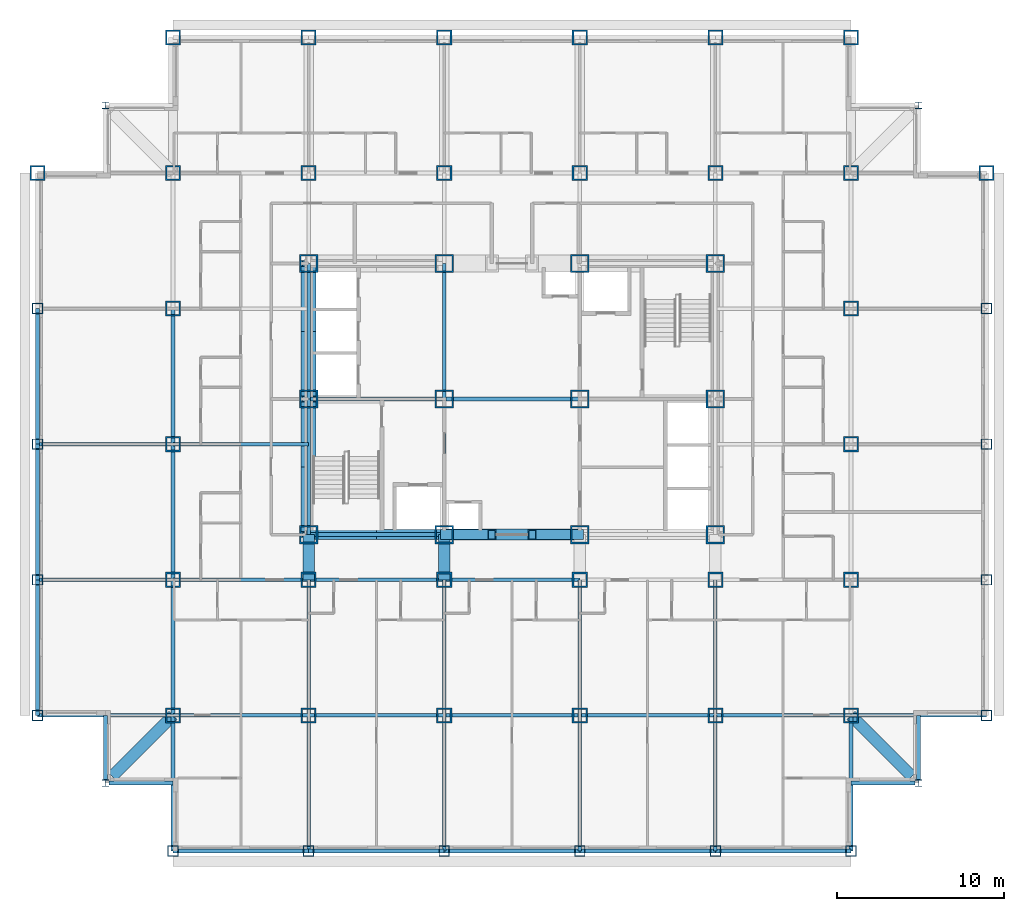
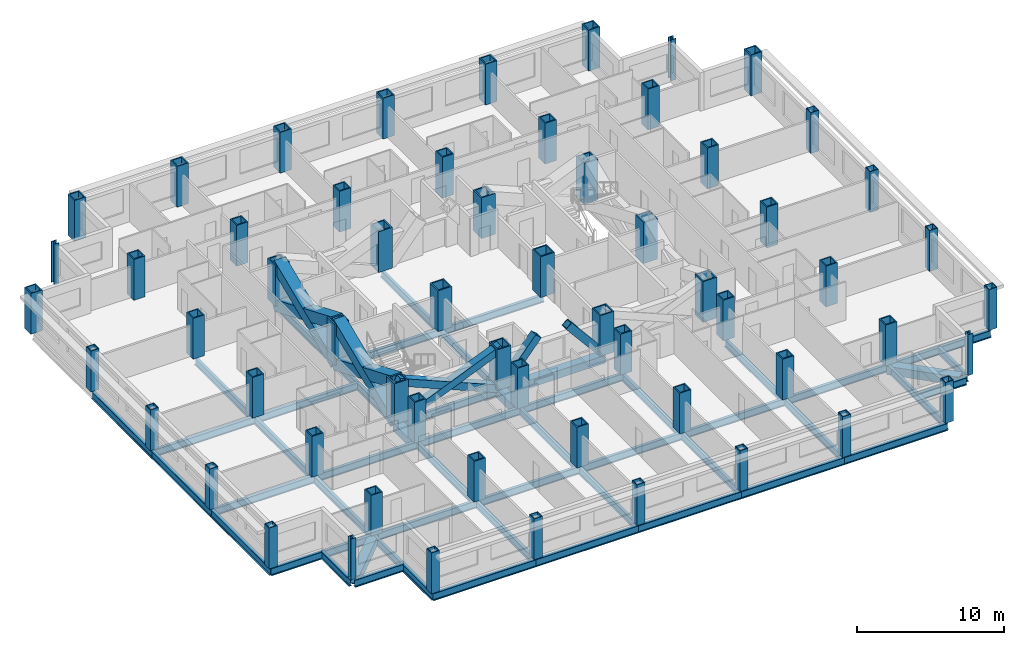
# One storey, part 1 of 12: 60 columns, 50 beams, 8 members.
"""IFC4 building model written with IfcOpenShell, lengths in metres."""

from ifc_helpers import new_model, si_unit, direction, frame, origin, origin_2d, place, context, subcontext, project, spatial, hollow_rectangle, i_section, extrude, material, material_profile, profile_set, type_object, element, save


model = new_model("IFC4")

# Units and contexts
model_context = context("Model", 3, precision=1e-05, world=origin(), true_north=direction((0.0, 1.0)))
body_context = subcontext(model_context, "Body", "Model", "MODEL_VIEW")
ifc_project = project(units=[si_unit("LENGTHUNIT", "METRE"), si_unit("AREAUNIT", "SQUARE_METRE"), si_unit("VOLUMEUNIT", "CUBIC_METRE"), si_unit("PLANEANGLEUNIT", "RADIAN"), si_unit("MASSUNIT", "GRAM", prefix="KILO")], contexts=[model_context])

# Site, building, storey
site_placement = place(None, origin())
site = spatial("IfcSite", under=ifc_project, at=site_placement, CompositionType="ELEMENT")
building_placement = place(site_placement, origin())
building = spatial("IfcBuilding", under=site, at=building_placement, Name="Kopane Lantern Tower", CompositionType="ELEMENT")
storey_placement = place(building_placement, frame((0.0, 0.0, 106.800048828125)))
storey = spatial("IfcBuildingStorey", under=building, at=storey_placement, Name="L26", CompositionType="ELEMENT", Elevation=106.800048828125)

# Columns
ifc_material_1 = material(Name="Steel S355JR", Category="steel")
ifc_material_profile_1 = material_profile(ifc_material_1, hollow_rectangle(XDim=1.10009765625, YDim=1.10009765625, WallThickness=0.10009765625, at=origin_2d()), Name="BOX 1100x1100x100")
ifc_profile_set_1 = profile_set([ifc_material_profile_1], Name="Steel S355JR")
column_type_1 = type_object("IfcColumnType", Name="COLUMN BOX 1100x1100x100", PredefinedType="COLUMN", material=ifc_profile_set_1)
for number, where, z_axis, x_axis, name in (
    (1, (16.199951171875, 24.300048828125, 0.0), (0.0, 0.0, 1.0), (1.0, 0.0, 0.0), "Column 4/E L26"),
    (2, (16.199951171875, 32.39990234375, 0.0), (0.0, 0.0, 1.0), (1.0, 0.0, 0.0), "Column 4/F L26"),
    (3, (16.199951171875, 40.5, 0.0), (0.0, 0.0, 1.0), (1.0, 0.0, 0.0), "Column 4/G L26"),
    (4, (24.300048828125, 24.300048828125, 0.0), (0.0, 0.0, 1.0), (1.0, 0.0, 0.0), "Column 5/E L26"),
    (5, (24.300048828125, 32.39990234375, 0.0), (0.0, 0.0, 1.0), (1.0, 0.0, 0.0), "Column 5/F L26"),
    (6, (24.300048828125, 40.5, 0.0), (0.0, 0.0, 1.0), (1.0, 0.0, 0.0), "Column 5/G L26"),
    (7, (32.39990234375, 24.300048828125, 0.0), (0.0, 0.0, 1.0), (1.0, 0.0, 0.0), "Column 6/E L26"),
    (8, (32.39990234375, 32.39990234375, 0.0), (0.0, 0.0, 1.0), (1.0, 0.0, 0.0), "Column 6/F L26"),
    (9, (32.39990234375, 40.5, 0.0), (0.0, 0.0, 1.0), (1.0, 0.0, 0.0), "Column 6/G L26"),
    (10, (40.5, 24.300048828125, 0.0), (0.0, 0.0, 1.0), (1.0, 0.0, 0.0), "Column 7/E L26"),
    (11, (40.5, 32.39990234375, 0.0), (0.0, 0.0, 1.0), (1.0, 0.0, 0.0), "Column 7/F L26"),
    (12, (40.5, 40.5, 0.0), (0.0, 0.0, 1.0), (1.0, 0.0, 0.0), "Column 7/G L26"),
):
    element("IfcColumn", number, at=place(storey_placement, frame(where, z_axis=z_axis, x_axis=x_axis)), inside=storey, type_object=column_type_1, Name=name, PredefinedType="COLUMN", context=body_context, shape_type="SweptSolid", body=[
        extrude(hollow_rectangle(XDim=1.10009765625, YDim=1.10009765625, WallThickness=0.10009765625, at=origin_2d()), origin(), (0.0, 0.0, 1.0), 3.39990234375),
    ])
ifc_material_2 = material(Name="Steel S355JR", Category="steel")
ifc_material_profile_2 = material_profile(ifc_material_2, hollow_rectangle(XDim=0.64990234375, YDim=0.64990234375, WallThickness=0.054931640625, at=origin_2d()), Name="BOX 650x650x55")
ifc_profile_set_2 = profile_set([ifc_material_profile_2], Name="Steel S355JR")
column_type_2 = type_object("IfcColumnType", Name="COLUMN BOX 650x650x55", PredefinedType="COLUMN", material=ifc_profile_set_2)
for number, where, z_axis, x_axis, name in (
    (13, (0.0, 13.5, 0.0), (0.0, 0.0, 1.0), (1.0, 0.0, 0.0), "Column 2/P2 L26"),
    (14, (0.0, 21.60009765625, 0.0), (0.0, 0.0, 1.0), (1.0, 0.0, 0.0), "Column 2/P3 L26"),
    (15, (0.0, 29.699951171875, 0.0), (0.0, 0.0, 1.0), (1.0, 0.0, 0.0), "Column 2/P4 L26"),
    (16, (0.0, 37.800048828125, 0.0), (0.0, 0.0, 1.0), (1.0, 0.0, 0.0), "Column 2/P5 L26"),
    (17, (8.10009765625, 5.39990234375, 0.0), (0.0, 0.0, 1.0), (1.0, 0.0, 0.0), "Column 3/P1 L26"),
    (18, (16.199951171875, 5.39990234375, 0.0), (0.0, 0.0, 1.0), (1.0, 0.0, 0.0), "Column 4/P1 L26"),
    (19, (24.300048828125, 5.39990234375, 0.0), (0.0, 0.0, 1.0), (1.0, 0.0, 0.0), "Column 5/P1 L26"),
    (20, (32.39990234375, 5.39990234375, 0.0), (0.0, 0.0, 1.0), (1.0, 0.0, 0.0), "Column 6/P1 L26"),
    (21, (40.5, 5.39990234375, 0.0), (0.0, 0.0, 1.0), (1.0, 0.0, 0.0), "Column 7/P1 L26"),
    (22, (48.60009765625, 5.39990234375, 0.0), (0.0, 0.0, 1.0), (1.0, 0.0, 0.0), "Column 8/P1 L26"),
    (23, (56.699951171875, 13.5, 0.0), (0.0, 0.0, 1.0), (1.0, 0.0, 0.0), "Column 9/P2 L26"),
    (24, (56.699951171875, 21.60009765625, 0.0), (0.0, 0.0, 1.0), (1.0, 0.0, 0.0), "Column 9/P3 L26"),
    (25, (56.699951171875, 29.699951171875, 0.0), (0.0, 0.0, 1.0), (1.0, 0.0, 0.0), "Column 9/P4 L26"),
    (26, (56.699951171875, 37.800048828125, 0.0), (0.0, 0.0, 1.0), (1.0, 0.0, 0.0), "Column 9/P5 L26"),
):
    element("IfcColumn", number, at=place(storey_placement, frame(where, z_axis=z_axis, x_axis=x_axis)), inside=storey, type_object=column_type_2, Name=name, PredefinedType="COLUMN", context=body_context, shape_type="SweptSolid", body=[
        extrude(hollow_rectangle(XDim=0.64990234375, YDim=0.64990234375, WallThickness=0.054931640625, at=origin_2d()), origin(), (0.0, 0.0, 1.0), 3.39990234375),
    ])
ifc_material_3 = material(Name="Steel S355JR", Category="steel")
ifc_material_profile_3 = material_profile(ifc_material_3, hollow_rectangle(XDim=0.89990234375, YDim=0.89990234375, WallThickness=0.090087890625, at=origin_2d()), Name="BOX 900x900x90")
ifc_profile_set_3 = profile_set([ifc_material_profile_3], Name="Steel S355JR")
column_type_3 = type_object("IfcColumnType", Name="COLUMN BOX 900x900x90", PredefinedType="COLUMN", material=ifc_profile_set_3)
for number, where, z_axis, x_axis, name in (
    (27, (0.0, 45.89990234375, 0.0), (0.0, 0.0, 1.0), (1.0, 0.0, 0.0), "Column 2/P6 L26"),
    (28, (8.10009765625, 13.5, 0.0), (0.0, 0.0, 1.0), (1.0, 0.0, 0.0), "Column 3/P2 L26"),
    (29, (8.10009765625, 21.60009765625, 0.0), (0.0, 0.0, 1.0), (1.0, 0.0, 0.0), "Column 3/P3 L26"),
    (30, (8.10009765625, 29.699951171875, 0.0), (0.0, 0.0, 1.0), (1.0, 0.0, 0.0), "Column 3/P4 L26"),
    (31, (8.10009765625, 37.800048828125, 0.0), (0.0, 0.0, 1.0), (1.0, 0.0, 0.0), "Column 3/P5 L26"),
    (32, (8.10009765625, 45.89990234375, 0.0), (0.0, 0.0, 1.0), (1.0, 0.0, 0.0), "Column 3/P6 L26"),
    (33, (8.10009765625, 54.0, 0.0), (0.0, 0.0, 1.0), (1.0, 0.0, 0.0), "Column 3/P7 L26"),
    (34, (16.199951171875, 13.5, 0.0), (0.0, 0.0, 1.0), (1.0, 0.0, 0.0), "Column 4/P2 L26"),
    (35, (16.199951171875, 21.60009765625, 0.0), (0.0, 0.0, 1.0), (1.0, 0.0, 0.0), "Column 4/P3 L26"),
    (36, (16.199951171875, 45.89990234375, 0.0), (0.0, 0.0, 1.0), (1.0, 0.0, 0.0), "Column 4/P6 L26"),
    (37, (16.199951171875, 54.0, 0.0), (0.0, 0.0, 1.0), (1.0, 0.0, 0.0), "Column 4/P7 L26"),
    (38, (24.300048828125, 13.5, 0.0), (0.0, 0.0, 1.0), (1.0, 0.0, 0.0), "Column 5/P2 L26"),
    (39, (24.300048828125, 21.60009765625, 0.0), (0.0, 0.0, 1.0), (1.0, 0.0, 0.0), "Column 5/P3 L26"),
    (40, (24.300048828125, 45.89990234375, 0.0), (0.0, 0.0, 1.0), (1.0, 0.0, 0.0), "Column 5/P6 L26"),
    (41, (24.300048828125, 54.0, 0.0), (0.0, 0.0, 1.0), (1.0, 0.0, 0.0), "Column 5/P7 L26"),
    (42, (32.39990234375, 13.5, 0.0), (0.0, 0.0, 1.0), (1.0, 0.0, 0.0), "Column 6/P2 L26"),
    (43, (32.39990234375, 21.60009765625, 0.0), (0.0, 0.0, 1.0), (1.0, 0.0, 0.0), "Column 6/P3 L26"),
    (44, (32.39990234375, 45.89990234375, 0.0), (0.0, 0.0, 1.0), (1.0, 0.0, 0.0), "Column 6/P6 L26"),
    (45, (32.39990234375, 54.0, 0.0), (0.0, 0.0, 1.0), (1.0, 0.0, 0.0), "Column 6/P7 L26"),
    (46, (40.5, 13.5, 0.0), (0.0, 0.0, 1.0), (1.0, 0.0, 0.0), "Column 7/P2 L26"),
    (47, (40.5, 21.60009765625, 0.0), (0.0, 0.0, 1.0), (1.0, 0.0, 0.0), "Column 7/P3 L26"),
    (48, (40.5, 45.89990234375, 0.0), (0.0, 0.0, 1.0), (1.0, 0.0, 0.0), "Column 7/P6 L26"),
    (49, (40.5, 54.0, 0.0), (0.0, 0.0, 1.0), (1.0, 0.0, 0.0), "Column 7/P7 L26"),
    (50, (48.60009765625, 13.5, 0.0), (0.0, 0.0, 1.0), (1.0, 0.0, 0.0), "Column 8/P2 L26"),
    (51, (48.60009765625, 21.60009765625, 0.0), (0.0, 0.0, 1.0), (1.0, 0.0, 0.0), "Column 8/P3 L26"),
    (52, (48.60009765625, 29.699951171875, 0.0), (0.0, 0.0, 1.0), (1.0, 0.0, 0.0), "Column 8/P4 L26"),
    (53, (48.60009765625, 37.800048828125, 0.0), (0.0, 0.0, 1.0), (1.0, 0.0, 0.0), "Column 8/P5 L26"),
    (54, (48.60009765625, 45.89990234375, 0.0), (0.0, 0.0, 1.0), (1.0, 0.0, 0.0), "Column 8/P6 L26"),
    (55, (48.60009765625, 54.0, 0.0), (0.0, 0.0, 1.0), (1.0, 0.0, 0.0), "Column 8/P7 L26"),
    (56, (56.699951171875, 45.89990234375, 0.0), (0.0, 0.0, 1.0), (1.0, 0.0, 0.0), "Column 9/P6 L26"),
):
    element("IfcColumn", number, at=place(storey_placement, frame(where, z_axis=z_axis, x_axis=x_axis)), inside=storey, type_object=column_type_3, Name=name, PredefinedType="COLUMN", context=body_context, shape_type="SweptSolid", body=[
        extrude(hollow_rectangle(XDim=0.89990234375, YDim=0.89990234375, WallThickness=0.090087890625, at=origin_2d()), origin(), (0.0, 0.0, 1.0), 3.39990234375),
    ])
ifc_material_4 = material(Name="Steel S355JR", Category="steel")
ifc_material_profile_4 = material_profile(ifc_material_4, i_section(OverallWidth=0.406982421875, OverallDepth=0.4189453125, WebThickness=0.030517578125, FlangeThickness=0.04931640625, FilletRadius=0.01513671875, at=origin_2d()), Name="UC 356x406x393")
ifc_profile_set_4 = profile_set([ifc_material_profile_4], Name="Steel S355JR")
column_type_4 = type_object("IfcColumnType", Name="COLUMN UC 356x406x393", PredefinedType="COLUMN", material=ifc_profile_set_4)
for number, where, z_axis, x_axis, name in (
    (57, (4.050048828125, 9.449951171875, 0.0), (0.0, 0.0, 1.0), (1.0, 0.0, 0.0), "Column 4.05/9.45 L26"),
    (58, (4.050048828125, 49.949951171875, 0.0), (0.0, 0.0, 1.0), (1.0, 0.0, 0.0), "Column 4.05/49.95 L26"),
    (59, (52.64990234375, 9.449951171875, 0.0), (0.0, 0.0, 1.0), (1.0, 0.0, 0.0), "Column 52.65/9.45 L26"),
    (60, (52.64990234375, 49.949951171875, 0.0), (0.0, 0.0, 1.0), (1.0, 0.0, 0.0), "Column 52.65/49.95 L26"),
):
    element("IfcColumn", number, at=place(storey_placement, frame(where, z_axis=z_axis, x_axis=x_axis)), inside=storey, type_object=column_type_4, Name=name, PredefinedType="COLUMN", context=body_context, shape_type="SweptSolid", body=[
        extrude(i_section(OverallWidth=0.406982421875, OverallDepth=0.4189453125, WebThickness=0.030517578125, FlangeThickness=0.04931640625, FilletRadius=0.01513671875, at=origin_2d()), origin(), (0.0, 0.0, 1.0), 3.39990234375),
    ])

# Members
ifc_material_5 = material(Name="Steel S355JR", Category="steel")
ifc_material_profile_5 = material_profile(ifc_material_5, hollow_rectangle(XDim=0.60009765625, YDim=0.60009765625, WallThickness=0.050048828125, at=origin_2d()), Name="BOX 600x600x50")
ifc_profile_set_5 = profile_set([ifc_material_profile_5], Name="Steel S355JR")
member_type_1 = type_object("IfcMemberType", Name="BRACE BOX 600x600x50", PredefinedType="BRACE", material=ifc_profile_set_5)
for number, where, z_axis, x_axis, name in (
    (61, (16.199951171875, 24.300048828125, -0.2099609375), (0.922069000757, 0.0, 0.387025526088), (0.0, 1.0, 0.0), "Core brace L26"),
    (62, (24.300048828125, 24.300048828125, -0.2099609375), (-0.922069000757, 0.0, 0.387025526088), (0.0, -1.0, 0.0), "Core brace L26"),
):
    element("IfcMember", number, at=place(storey_placement, frame(where, z_axis=z_axis, x_axis=x_axis)), inside=storey, type_object=member_type_1, Name=name, PredefinedType="BRACE", context=body_context, shape_type="SweptSolid", body=[
        extrude(hollow_rectangle(XDim=0.60009765625, YDim=0.60009765625, WallThickness=0.050048828125, at=origin_2d()), origin(), (0.0, 0.0, 1.0), 8.78466796875),
    ])
for number, where, z_axis, x_axis, name in (
    (63, (24.300048828125, 24.300048828125, -0.2099609375), (0.642390257445, 0.0, 0.7663776857), (0.0, 1.0, 0.0), "Core brace L26"),
    (64, (32.39990234375, 24.300048828125, -0.2099609375), (-0.642390257445, 0.0, 0.7663776857), (0.0, -1.0, 0.0), "Core brace L26"),
):
    element("IfcMember", number, at=place(storey_placement, frame(where, z_axis=z_axis, x_axis=x_axis)), inside=storey, type_object=member_type_1, Name=name, PredefinedType="BRACE", context=body_context, shape_type="SweptSolid", body=[
        extrude(hollow_rectangle(XDim=0.60009765625, YDim=0.60009765625, WallThickness=0.050048828125, at=origin_2d()), origin(), (0.0, 0.0, 1.0), 4.436279296875),
    ])
ifc_material_6 = material(Name="Steel S355JR", Category="steel")
ifc_material_profile_6 = material_profile(ifc_material_6, hollow_rectangle(XDim=0.89990234375, YDim=0.89990234375, WallThickness=0.090087890625, at=origin_2d()), Name="BOX 900x900x90")
ifc_profile_set_6 = profile_set([ifc_material_profile_6], Name="Steel S355JR")
member_type_2 = type_object("IfcMemberType", Name="BRACE BOX 900x900x90", PredefinedType="BRACE", material=ifc_profile_set_6)
for number, where, z_axis, x_axis, name in (
    (65, (16.199951171875, 24.300048828125, -0.2099609375), (0.0, 0.922064837731, 0.38703544414), (-1.0, 0.0, 0.0), "Core brace L26"),
    (66, (16.199951171875, 32.39990234375, -0.2099609375), (0.0, -0.922064837731, 0.38703544414), (1.0, 0.0, 0.0), "Core brace L26"),
):
    element("IfcMember", number, at=place(storey_placement, frame(where, z_axis=z_axis, x_axis=x_axis)), inside=storey, type_object=member_type_2, Name=name, PredefinedType="BRACE", context=body_context, shape_type="SweptSolid", body=[
        extrude(hollow_rectangle(XDim=0.89990234375, YDim=0.89990234375, WallThickness=0.090087890625, at=origin_2d()), origin(), (0.0, 0.0, 1.0), 8.784423828125),
    ])
for number, where, z_axis, x_axis, name in (
    (67, (16.199951171875, 32.39990234375, -0.2099609375), (0.0, 0.922069000757, 0.387025526088), (-1.0, 0.0, 0.0), "Core brace L26"),
    (68, (16.199951171875, 40.5, -0.2099609375), (0.0, -0.922069000757, 0.387025526088), (1.0, 0.0, 0.0), "Core brace L26"),
):
    element("IfcMember", number, at=place(storey_placement, frame(where, z_axis=z_axis, x_axis=x_axis)), inside=storey, type_object=member_type_2, Name=name, PredefinedType="BRACE", context=body_context, shape_type="SweptSolid", body=[
        extrude(hollow_rectangle(XDim=0.89990234375, YDim=0.89990234375, WallThickness=0.090087890625, at=origin_2d()), origin(), (0.0, 0.0, 1.0), 8.78466796875),
    ])

# Beams
ifc_material_7 = material(Name="Steel S355JR", Category="steel")
ifc_material_profile_7 = material_profile(ifc_material_7, i_section(OverallWidth=0.22900390625, OverallDepth=0.6123046875, WebThickness=0.011962890625, FlangeThickness=0.01953125, FilletRadius=0.0126953125, at=origin_2d()), Name="UB 610x229x125")
ifc_profile_set_7 = profile_set([ifc_material_profile_7], Name="Steel S355JR")
beam_type_1 = type_object("IfcBeamType", Name="CORE BEAM UB 610x229x125", PredefinedType="BEAM", material=ifc_profile_set_7)
beam_1_placement = place(storey_placement, frame((16.199951171875, 32.39990234375, -0.51611328125), z_axis=(1.0, 0.0, 0.0), x_axis=(0.0, 1.0, 0.0)))
element("IfcBeam", 69, at=beam_1_placement, inside=storey, type_object=beam_type_1, Name="Core Beam L26", PredefinedType="BEAM", context=body_context, shape_type="SweptSolid", body=[
    extrude(i_section(OverallWidth=0.22900390625, OverallDepth=0.6123046875, WebThickness=0.011962890625, FlangeThickness=0.01953125, FilletRadius=0.0126953125, at=origin_2d()), origin(), (0.0, 0.0, 1.0), 8.10009765625),
])
beam_2_placement = place(storey_placement, frame((24.300048828125, 24.300048828125, -0.51611328125), z_axis=(0.0, 1.0, 0.0), x_axis=(-1.0, 0.0, 0.0)))
element("IfcBeam", 70, at=beam_2_placement, inside=storey, type_object=beam_type_1, Name="Core Beam L26", PredefinedType="BEAM", context=body_context, shape_type="SweptSolid", body=[
    extrude(i_section(OverallWidth=0.22900390625, OverallDepth=0.6123046875, WebThickness=0.011962890625, FlangeThickness=0.01953125, FilletRadius=0.0126953125, at=origin_2d()), origin(), (0.0, 0.0, 1.0), 8.099853515625),
])
beam_3_placement = place(storey_placement, frame((24.300048828125, 32.39990234375, -0.51611328125), z_axis=(0.0, 1.0, 0.0), x_axis=(-1.0, 0.0, 0.0)))
element("IfcBeam", 71, at=beam_3_placement, inside=storey, type_object=beam_type_1, Name="Core Beam L26", PredefinedType="BEAM", context=body_context, shape_type="SweptSolid", body=[
    extrude(i_section(OverallWidth=0.22900390625, OverallDepth=0.6123046875, WebThickness=0.011962890625, FlangeThickness=0.01953125, FilletRadius=0.0126953125, at=origin_2d()), origin(), (0.0, 0.0, 1.0), 8.10009765625),
])
beam_4_placement = place(storey_placement, frame((24.300048828125, 32.39990234375, -0.51611328125), z_axis=(1.0, 0.0, 0.0), x_axis=(0.0, 1.0, 0.0)))
element("IfcBeam", 72, at=beam_4_placement, inside=storey, type_object=beam_type_1, Name="Core Beam L26", PredefinedType="BEAM", context=body_context, shape_type="SweptSolid", body=[
    extrude(i_section(OverallWidth=0.22900390625, OverallDepth=0.6123046875, WebThickness=0.011962890625, FlangeThickness=0.01953125, FilletRadius=0.0126953125, at=origin_2d()), origin(), (0.0, 0.0, 1.0), 8.099853515625),
])
ifc_material_8 = material(Name="Steel S355JR", Category="steel")
ifc_material_profile_8 = material_profile(ifc_material_8, hollow_rectangle(XDim=0.699951171875, YDim=0.699951171875, WallThickness=0.06005859375, at=origin_2d()), Name="BOX 700x700x60")
ifc_profile_set_8 = profile_set([ifc_material_profile_8], Name="Steel S355JR")
beam_type_2 = type_object("IfcBeamType", Name="CORNER TIE BEAM BOX 700x700x60", PredefinedType="BEAM", material=ifc_profile_set_8)
beam_5_placement = place(storey_placement, frame((4.447509765625, 9.847412109375, -0.56005859375), z_axis=(0.707106781187, 0.707106781187, 0.0), x_axis=(-0.707106781187, 0.707106781187, 0.0)))
element("IfcBeam", 73, at=beam_5_placement, inside=storey, type_object=beam_type_2, Name="Corner Tie Beam L26", PredefinedType="BEAM", context=body_context, shape_type="SweptSolid", body=[
    extrude(hollow_rectangle(XDim=0.699951171875, YDim=0.699951171875, WallThickness=0.06005859375, at=origin_2d()), origin(), (0.0, 0.0, 1.0), 5.16552734375),
])
beam_6_placement = place(storey_placement, frame((52.25244140625, 9.847412109375, -0.56005859375), z_axis=(-0.707083148333, 0.70713041325, 0.0), x_axis=(-0.70713041325, -0.707083148333, 0.0)))
element("IfcBeam", 74, at=beam_6_placement, inside=storey, type_object=beam_type_2, Name="Corner Tie Beam L26", PredefinedType="BEAM", context=body_context, shape_type="SweptSolid", body=[
    extrude(hollow_rectangle(XDim=0.699951171875, YDim=0.699951171875, WallThickness=0.06005859375, at=origin_2d()), origin(), (0.0, 0.0, 1.0), 5.165283203125),
])
ifc_material_9 = material(Name="Steel S355JR", Category="steel")
ifc_material_profile_9 = material_profile(ifc_material_9, i_section(OverallWidth=0.22900390625, OverallDepth=0.6123046875, WebThickness=0.011962890625, FlangeThickness=0.01953125, FilletRadius=0.0126953125, at=origin_2d()), Name="UB 610x229x125")
ifc_profile_set_9 = profile_set([ifc_material_profile_9], Name="Steel S355JR")
beam_type_3 = type_object("IfcBeamType", Name="EDGE BEAM UB 610x229x125", PredefinedType="BEAM", material=ifc_profile_set_9)
beam_7_placement = place(storey_placement, frame((4.050048828125, 9.653564453125, -0.51611328125), z_axis=(0.0, 1.0, 0.0), x_axis=(-1.0, 0.0, 0.0)))
element("IfcBeam", 75, at=beam_7_placement, inside=storey, type_object=beam_type_3, Name="Edge Beam L26", PredefinedType="BEAM", context=body_context, shape_type="SweptSolid", body=[
    extrude(i_section(OverallWidth=0.22900390625, OverallDepth=0.6123046875, WebThickness=0.011962890625, FlangeThickness=0.01953125, FilletRadius=0.0126953125, at=origin_2d()), origin(), (0.0, 0.0, 1.0), 3.846435546875),
])
beam_8_placement = place(storey_placement, frame((4.25341796875, 9.449951171875, -0.51611328125), z_axis=(1.0, 0.0, 0.0), x_axis=(0.0, 1.0, 0.0)))
element("IfcBeam", 76, at=beam_8_placement, inside=storey, type_object=beam_type_3, Name="Edge Beam L26", PredefinedType="BEAM", context=body_context, shape_type="SweptSolid", body=[
    extrude(i_section(OverallWidth=0.22900390625, OverallDepth=0.6123046875, WebThickness=0.011962890625, FlangeThickness=0.01953125, FilletRadius=0.0126953125, at=origin_2d()), origin(), (0.0, 0.0, 1.0), 3.8466796875),
])
for number, where, z_axis, x_axis, name in (
    (77, (52.446533203125, 9.449951171875, -0.51611328125), (-1.0, 0.0, 0.0), (0.0, -1.0, 0.0), "Edge Beam L26"),
    (78, (52.64990234375, 9.653564453125, -0.51611328125), (0.0, 1.0, 0.0), (-1.0, 0.0, 0.0), "Edge Beam L26"),
):
    element("IfcBeam", number, at=place(storey_placement, frame(where, z_axis=z_axis, x_axis=x_axis)), inside=storey, type_object=beam_type_3, Name=name, PredefinedType="BEAM", context=body_context, shape_type="SweptSolid", body=[
        extrude(i_section(OverallWidth=0.22900390625, OverallDepth=0.6123046875, WebThickness=0.011962890625, FlangeThickness=0.01953125, FilletRadius=0.0126953125, at=origin_2d()), origin(), (0.0, 0.0, 1.0), 3.846435546875),
    ])
ifc_material_10 = material(Name="Steel S355JR", Category="steel")
ifc_material_profile_10 = material_profile(ifc_material_10, hollow_rectangle(XDim=0.699951171875, YDim=0.699951171875, WallThickness=0.06005859375, at=origin_2d()), Name="BOX 700x700x60")
ifc_profile_set_10 = profile_set([ifc_material_profile_10], Name="Steel S355JR")
beam_type_4 = type_object("IfcBeamType", Name="GIRDER BOX 700x700x60", PredefinedType="BEAM", material=ifc_profile_set_10)
for number, where, z_axis, x_axis, name in (
    (79, (16.199951171875, 21.60009765625, -0.56005859375), (0.0, 1.0, 0.0), (-1.0, 0.0, 0.0), "Girder L26"),
    (80, (24.300048828125, 21.60009765625, -0.56005859375), (0.0, 1.0, 0.0), (-1.0, 0.0, 0.0), "Girder L26"),
):
    element("IfcBeam", number, at=place(storey_placement, frame(where, z_axis=z_axis, x_axis=x_axis)), inside=storey, type_object=beam_type_4, Name=name, PredefinedType="BEAM", context=body_context, shape_type="SweptSolid", body=[
        extrude(hollow_rectangle(XDim=0.699951171875, YDim=0.699951171875, WallThickness=0.06005859375, at=origin_2d()), origin(), (0.0, 0.0, 1.0), 2.699951171875),
    ])
ifc_material_11 = material(Name="Steel S355JR", Category="steel")
ifc_material_profile_11 = material_profile(ifc_material_11, i_section(OverallWidth=0.22900390625, OverallDepth=0.6123046875, WebThickness=0.011962890625, FlangeThickness=0.01953125, FilletRadius=0.0126953125, at=origin_2d()), Name="UB 610x229x125")
ifc_profile_set_11 = profile_set([ifc_material_profile_11], Name="Steel S355JR")
beam_type_5 = type_object("IfcBeamType", Name="GIRDER UB 610x229x125", PredefinedType="BEAM", material=ifc_profile_set_11)
for number, where, z_axis, x_axis, name in (
    (81, (0.0, 13.5, -0.51611328125), (0.0, 1.0, 0.0), (-1.0, 0.0, 0.0), "Girder L26"),
    (82, (0.0, 13.5, -0.51611328125), (1.0, 0.0, 0.0), (0.0, 1.0, 0.0), "Girder L26"),
):
    element("IfcBeam", number, at=place(storey_placement, frame(where, z_axis=z_axis, x_axis=x_axis)), inside=storey, type_object=beam_type_5, Name=name, PredefinedType="BEAM", context=body_context, shape_type="SweptSolid", body=[
        extrude(i_section(OverallWidth=0.22900390625, OverallDepth=0.6123046875, WebThickness=0.011962890625, FlangeThickness=0.01953125, FilletRadius=0.0126953125, at=origin_2d()), origin(), (0.0, 0.0, 1.0), 8.10009765625),
    ])
beam_9_placement = place(storey_placement, frame((0.0, 21.60009765625, -0.51611328125), z_axis=(0.0, 1.0, 0.0), x_axis=(-1.0, 0.0, 0.0)))
element("IfcBeam", 83, at=beam_9_placement, inside=storey, type_object=beam_type_5, Name="Girder L26", PredefinedType="BEAM", context=body_context, shape_type="SweptSolid", body=[
    extrude(i_section(OverallWidth=0.22900390625, OverallDepth=0.6123046875, WebThickness=0.011962890625, FlangeThickness=0.01953125, FilletRadius=0.0126953125, at=origin_2d()), origin(), (0.0, 0.0, 1.0), 8.099853515625),
])
for number, where, z_axis, x_axis, name in (
    (84, (0.0, 21.60009765625, -0.51611328125), (1.0, 0.0, 0.0), (0.0, 1.0, 0.0), "Girder L26"),
    (85, (0.0, 29.699951171875, -0.51611328125), (0.0, 1.0, 0.0), (-1.0, 0.0, 0.0), "Girder L26"),
    (86, (0.0, 29.699951171875, -0.51611328125), (1.0, 0.0, 0.0), (0.0, 1.0, 0.0), "Girder L26"),
    (87, (8.10009765625, 5.39990234375, -0.51611328125), (0.0, 1.0, 0.0), (-1.0, 0.0, 0.0), "Girder L26"),
):
    element("IfcBeam", number, at=place(storey_placement, frame(where, z_axis=z_axis, x_axis=x_axis)), inside=storey, type_object=beam_type_5, Name=name, PredefinedType="BEAM", context=body_context, shape_type="SweptSolid", body=[
        extrude(i_section(OverallWidth=0.22900390625, OverallDepth=0.6123046875, WebThickness=0.011962890625, FlangeThickness=0.01953125, FilletRadius=0.0126953125, at=origin_2d()), origin(), (0.0, 0.0, 1.0), 8.10009765625),
    ])
beam_10_placement = place(storey_placement, frame((8.10009765625, 5.39990234375, -0.51611328125), z_axis=(1.0, 0.0, 0.0), x_axis=(0.0, 1.0, 0.0)))
element("IfcBeam", 88, at=beam_10_placement, inside=storey, type_object=beam_type_5, Name="Girder L26", PredefinedType="BEAM", context=body_context, shape_type="SweptSolid", body=[
    extrude(i_section(OverallWidth=0.22900390625, OverallDepth=0.6123046875, WebThickness=0.011962890625, FlangeThickness=0.01953125, FilletRadius=0.0126953125, at=origin_2d()), origin(), (0.0, 0.0, 1.0), 8.099853515625),
])
beam_11_placement = place(storey_placement, frame((8.10009765625, 13.5, -0.51611328125), z_axis=(0.0, 1.0, 0.0), x_axis=(-1.0, 0.0, 0.0)))
element("IfcBeam", 89, at=beam_11_placement, inside=storey, type_object=beam_type_5, Name="Girder L26", PredefinedType="BEAM", context=body_context, shape_type="SweptSolid", body=[
    extrude(i_section(OverallWidth=0.22900390625, OverallDepth=0.6123046875, WebThickness=0.011962890625, FlangeThickness=0.01953125, FilletRadius=0.0126953125, at=origin_2d()), origin(), (0.0, 0.0, 1.0), 8.10009765625),
])
for number, where, z_axis, x_axis, name in (
    (90, (8.10009765625, 13.5, -0.51611328125), (1.0, 0.0, 0.0), (0.0, 1.0, 0.0), "Girder L26"),
    (91, (8.10009765625, 21.60009765625, -0.51611328125), (0.0, 1.0, 0.0), (-1.0, 0.0, 0.0), "Girder L26"),
    (92, (8.10009765625, 21.60009765625, -0.51611328125), (1.0, 0.0, 0.0), (0.0, 1.0, 0.0), "Girder L26"),
):
    element("IfcBeam", number, at=place(storey_placement, frame(where, z_axis=z_axis, x_axis=x_axis)), inside=storey, type_object=beam_type_5, Name=name, PredefinedType="BEAM", context=body_context, shape_type="SweptSolid", body=[
        extrude(i_section(OverallWidth=0.22900390625, OverallDepth=0.6123046875, WebThickness=0.011962890625, FlangeThickness=0.01953125, FilletRadius=0.0126953125, at=origin_2d()), origin(), (0.0, 0.0, 1.0), 8.099853515625),
    ])
beam_12_placement = place(storey_placement, frame((8.10009765625, 29.699951171875, -0.51611328125), z_axis=(0.0, 1.0, 0.0), x_axis=(-1.0, 0.0, 0.0)))
element("IfcBeam", 93, at=beam_12_placement, inside=storey, type_object=beam_type_5, Name="Girder L26", PredefinedType="BEAM", context=body_context, shape_type="SweptSolid", body=[
    extrude(i_section(OverallWidth=0.22900390625, OverallDepth=0.6123046875, WebThickness=0.011962890625, FlangeThickness=0.01953125, FilletRadius=0.0126953125, at=origin_2d()), origin(), (0.0, 0.0, 1.0), 8.10009765625),
])
beam_13_placement = place(storey_placement, frame((8.10009765625, 29.699951171875, -0.51611328125), z_axis=(1.0, 0.0, 0.0), x_axis=(0.0, 1.0, 0.0)))
element("IfcBeam", 94, at=beam_13_placement, inside=storey, type_object=beam_type_5, Name="Girder L26", PredefinedType="BEAM", context=body_context, shape_type="SweptSolid", body=[
    extrude(i_section(OverallWidth=0.22900390625, OverallDepth=0.6123046875, WebThickness=0.011962890625, FlangeThickness=0.01953125, FilletRadius=0.0126953125, at=origin_2d()), origin(), (0.0, 0.0, 1.0), 8.099853515625),
])
for number, where, z_axis, x_axis, name in (
    (95, (16.199951171875, 5.39990234375, -0.51611328125), (0.0, 1.0, 0.0), (-1.0, 0.0, 0.0), "Girder L26"),
    (96, (16.199951171875, 5.39990234375, -0.51611328125), (1.0, 0.0, 0.0), (0.0, 1.0, 0.0), "Girder L26"),
    (97, (16.199951171875, 13.5, -0.51611328125), (0.0, 1.0, 0.0), (-1.0, 0.0, 0.0), "Girder L26"),
    (98, (16.199951171875, 13.5, -0.51611328125), (1.0, 0.0, 0.0), (0.0, 1.0, 0.0), "Girder L26"),
    (99, (16.199951171875, 21.60009765625, -0.51611328125), (1.0, 0.0, 0.0), (0.0, 1.0, 0.0), "Girder L26"),
):
    element("IfcBeam", number, at=place(storey_placement, frame(where, z_axis=z_axis, x_axis=x_axis)), inside=storey, type_object=beam_type_5, Name=name, PredefinedType="BEAM", context=body_context, shape_type="SweptSolid", body=[
        extrude(i_section(OverallWidth=0.22900390625, OverallDepth=0.6123046875, WebThickness=0.011962890625, FlangeThickness=0.01953125, FilletRadius=0.0126953125, at=origin_2d()), origin(), (0.0, 0.0, 1.0), 8.10009765625),
    ])
beam_14_placement = place(storey_placement, frame((16.199951171875, 24.300048828125, -0.51611328125), z_axis=(0.0, 1.0, 0.0), x_axis=(-1.0, 0.0, 0.0)))
element("IfcBeam", 100, at=beam_14_placement, inside=storey, type_object=beam_type_5, Name="Girder L26", PredefinedType="BEAM", context=body_context, shape_type="SweptSolid", body=[
    extrude(i_section(OverallWidth=0.22900390625, OverallDepth=0.6123046875, WebThickness=0.011962890625, FlangeThickness=0.01953125, FilletRadius=0.0126953125, at=origin_2d()), origin(), (0.0, 0.0, 1.0), 8.099853515625),
])
for number, where, z_axis, x_axis, name in (
    (101, (16.199951171875, 24.300048828125, -0.51611328125), (1.0, 0.0, 0.0), (0.0, 1.0, 0.0), "Girder L26"),
    (102, (16.199951171875, 32.39990234375, -0.51611328125), (0.0, 1.0, 0.0), (-1.0, 0.0, 0.0), "Girder L26"),
    (103, (24.300048828125, 5.39990234375, -0.51611328125), (0.0, 1.0, 0.0), (-1.0, 0.0, 0.0), "Girder L26"),
):
    element("IfcBeam", number, at=place(storey_placement, frame(where, z_axis=z_axis, x_axis=x_axis)), inside=storey, type_object=beam_type_5, Name=name, PredefinedType="BEAM", context=body_context, shape_type="SweptSolid", body=[
        extrude(i_section(OverallWidth=0.22900390625, OverallDepth=0.6123046875, WebThickness=0.011962890625, FlangeThickness=0.01953125, FilletRadius=0.0126953125, at=origin_2d()), origin(), (0.0, 0.0, 1.0), 8.10009765625),
    ])
beam_15_placement = place(storey_placement, frame((24.300048828125, 5.39990234375, -0.51611328125), z_axis=(1.0, 0.0, 0.0), x_axis=(0.0, 1.0, 0.0)))
element("IfcBeam", 104, at=beam_15_placement, inside=storey, type_object=beam_type_5, Name="Girder L26", PredefinedType="BEAM", context=body_context, shape_type="SweptSolid", body=[
    extrude(i_section(OverallWidth=0.22900390625, OverallDepth=0.6123046875, WebThickness=0.011962890625, FlangeThickness=0.01953125, FilletRadius=0.0126953125, at=origin_2d()), origin(), (0.0, 0.0, 1.0), 8.099853515625),
])
beam_16_placement = place(storey_placement, frame((24.300048828125, 13.5, -0.51611328125), z_axis=(0.0, 1.0, 0.0), x_axis=(-1.0, 0.0, 0.0)))
element("IfcBeam", 105, at=beam_16_placement, inside=storey, type_object=beam_type_5, Name="Girder L26", PredefinedType="BEAM", context=body_context, shape_type="SweptSolid", body=[
    extrude(i_section(OverallWidth=0.22900390625, OverallDepth=0.6123046875, WebThickness=0.011962890625, FlangeThickness=0.01953125, FilletRadius=0.0126953125, at=origin_2d()), origin(), (0.0, 0.0, 1.0), 8.10009765625),
])
for number, where, z_axis, x_axis, name in (
    (106, (24.300048828125, 13.5, -0.51611328125), (1.0, 0.0, 0.0), (0.0, 1.0, 0.0), "Girder L26"),
    (107, (24.300048828125, 21.60009765625, -0.51611328125), (1.0, 0.0, 0.0), (0.0, 1.0, 0.0), "Girder L26"),
):
    element("IfcBeam", number, at=place(storey_placement, frame(where, z_axis=z_axis, x_axis=x_axis)), inside=storey, type_object=beam_type_5, Name=name, PredefinedType="BEAM", context=body_context, shape_type="SweptSolid", body=[
        extrude(i_section(OverallWidth=0.22900390625, OverallDepth=0.6123046875, WebThickness=0.011962890625, FlangeThickness=0.01953125, FilletRadius=0.0126953125, at=origin_2d()), origin(), (0.0, 0.0, 1.0), 8.099853515625),
    ])
for number, where, z_axis, x_axis, name in (
    (108, (32.39990234375, 5.39990234375, -0.51611328125), (0.0, 1.0, 0.0), (-1.0, 0.0, 0.0), "Girder L26"),
    (109, (32.39990234375, 5.39990234375, -0.51611328125), (1.0, 0.0, 0.0), (0.0, 1.0, 0.0), "Girder L26"),
    (110, (32.39990234375, 13.5, -0.51611328125), (0.0, 1.0, 0.0), (-1.0, 0.0, 0.0), "Girder L26"),
    (111, (32.39990234375, 13.5, -0.51611328125), (1.0, 0.0, 0.0), (0.0, 1.0, 0.0), "Girder L26"),
    (112, (40.5, 5.39990234375, -0.51611328125), (0.0, 1.0, 0.0), (-1.0, 0.0, 0.0), "Girder L26"),
    (113, (40.5, 5.39990234375, -0.51611328125), (1.0, 0.0, 0.0), (0.0, 1.0, 0.0), "Girder L26"),
    (114, (40.5, 13.5, -0.51611328125), (0.0, 1.0, 0.0), (-1.0, 0.0, 0.0), "Girder L26"),
    (115, (40.5, 13.5, -0.51611328125), (1.0, 0.0, 0.0), (0.0, 1.0, 0.0), "Girder L26"),
    (116, (48.60009765625, 5.39990234375, -0.51611328125), (0.0, 1.0, 0.0), (-1.0, 0.0, 0.0), "Girder L26"),
):
    element("IfcBeam", number, at=place(storey_placement, frame(where, z_axis=z_axis, x_axis=x_axis)), inside=storey, type_object=beam_type_5, Name=name, PredefinedType="BEAM", context=body_context, shape_type="SweptSolid", body=[
        extrude(i_section(OverallWidth=0.22900390625, OverallDepth=0.6123046875, WebThickness=0.011962890625, FlangeThickness=0.01953125, FilletRadius=0.0126953125, at=origin_2d()), origin(), (0.0, 0.0, 1.0), 8.10009765625),
    ])
beam_17_placement = place(storey_placement, frame((48.60009765625, 13.5, -0.51611328125), z_axis=(1.0, 0.0, 0.0), x_axis=(0.0, 1.0, 0.0)))
element("IfcBeam", 117, at=beam_17_placement, inside=storey, type_object=beam_type_5, Name="Girder L26", PredefinedType="BEAM", context=body_context, shape_type="SweptSolid", body=[
    extrude(i_section(OverallWidth=0.22900390625, OverallDepth=0.6123046875, WebThickness=0.011962890625, FlangeThickness=0.01953125, FilletRadius=0.0126953125, at=origin_2d()), origin(), (0.0, 0.0, 1.0), 8.099853515625),
])
ifc_material_12 = material(Name="Steel S355JR", Category="steel")
ifc_material_profile_12 = material_profile(ifc_material_12, hollow_rectangle(XDim=0.64990234375, YDim=0.64990234375, WallThickness=0.070068359375, at=origin_2d()), Name="BOX 650x650x70")
ifc_profile_set_12 = profile_set([ifc_material_profile_12], Name="Steel S355JR")
beam_type_6 = type_object("IfcBeamType", Name="LINK BEAM BOX 650x650x70", PredefinedType="BEAM", material=ifc_profile_set_12)
beam_18_placement = place(storey_placement, frame((24.300048828125, 24.300048828125, -0.53515625), z_axis=(1.0, 0.0, 0.0), x_axis=(0.0, 1.0, 0.0)))
element("IfcBeam", 118, at=beam_18_placement, inside=storey, type_object=beam_type_6, Name="Link Beam L26", PredefinedType="BEAM", context=body_context, shape_type="SweptSolid", body=[
    extrude(hollow_rectangle(XDim=0.64990234375, YDim=0.64990234375, WallThickness=0.070068359375, at=origin_2d()), origin(), (0.0, 0.0, 1.0), 8.099853515625),
])

save(model, "model.ifc")
